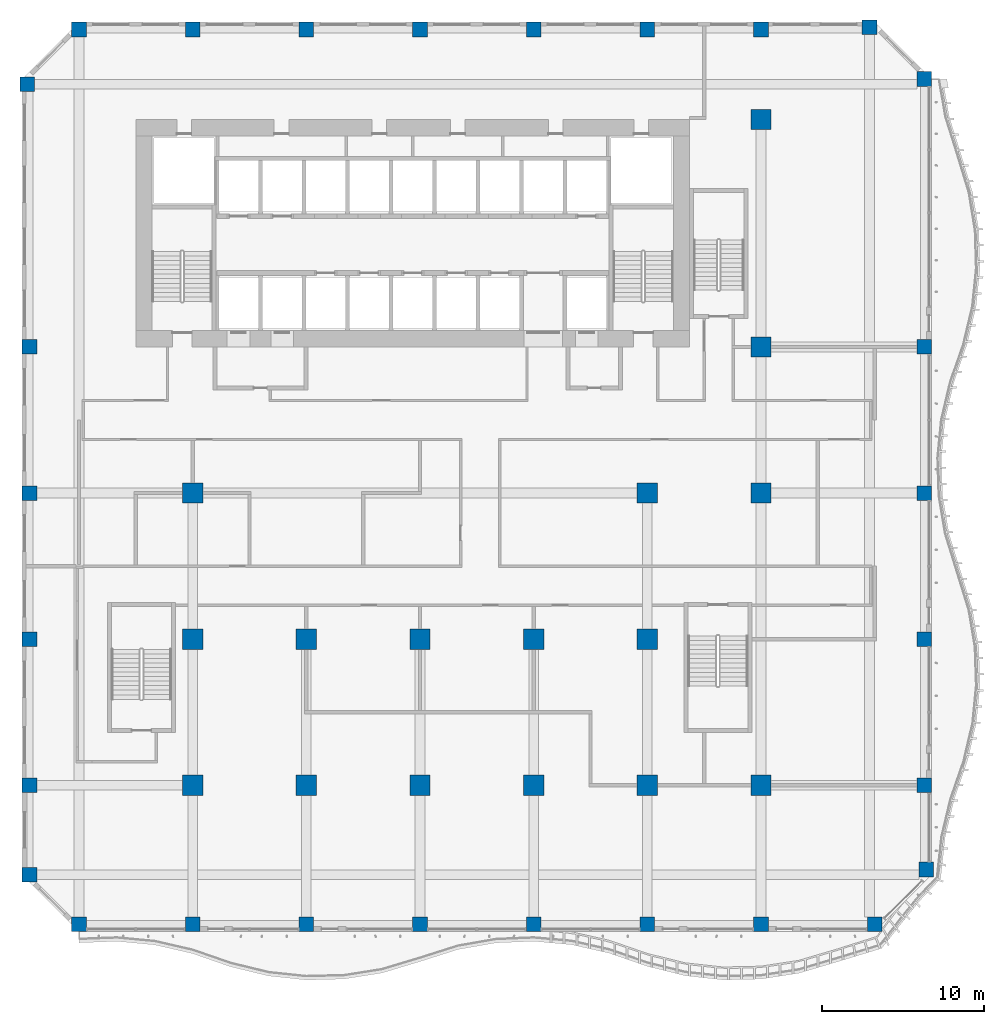
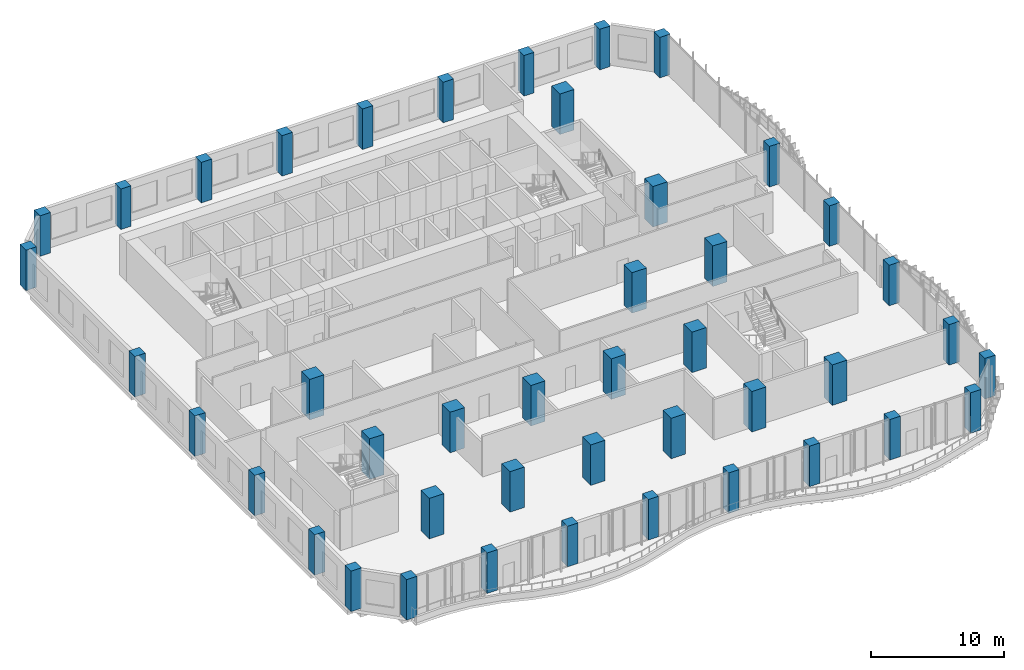
# One storey, part 1 of 25: 44 columns.
"""IFC4 building model written with IfcOpenShell, lengths in metres."""

from ifc_helpers import new_model, si_unit, direction, frame, origin, origin_2d, place, context, subcontext, project, spatial, rectangle, extrude, source, transform, mapped, material, material_profile, profile_set, type_object, element, save


model = new_model("IFC4")

# Units and contexts
model_context = context("Model", 3, precision=1e-05, world=origin(), true_north=direction((0.0, 1.0)))
body_context = subcontext(model_context, "Body", "Model", "MODEL_VIEW")
ifc_project = project(units=[si_unit("LENGTHUNIT", "METRE"), si_unit("AREAUNIT", "SQUARE_METRE"), si_unit("VOLUMEUNIT", "CUBIC_METRE"), si_unit("PLANEANGLEUNIT", "RADIAN"), si_unit("MASSUNIT", "GRAM", prefix="KILO")], contexts=[model_context])

# Site, building, storey
site_placement = place(None, origin())
site = spatial("IfcSite", under=ifc_project, at=site_placement, CompositionType="ELEMENT")
building_placement = place(site_placement, origin())
building = spatial("IfcBuilding", under=site, at=building_placement, Name="Kilnfold Tower and Market Hall", CompositionType="ELEMENT")
storey_placement = place(building_placement, frame((0.0, 0.0, 67.199951171875)))
storey = spatial("IfcBuildingStorey", under=building, at=storey_placement, Name="L15", CompositionType="ELEMENT", Elevation=67.199951171875)

# Columns
ifc_material_1 = material(Name="Concrete C80", Category="concrete")
ifc_material_profile_1 = material_profile(ifc_material_1, rectangle(XDim=0.89990234375, YDim=0.89990234375, at=origin_2d()), Name="RC 900x900")
ifc_profile_set_1 = profile_set([ifc_material_profile_1], Name="Concrete C80")
column_type_1 = type_object("IfcColumnType", Name="COLUMN 900X900 C80", PredefinedType="COLUMN", material=ifc_profile_set_1)
shared_shape_1 = source(origin(), body_context, "Body", "SweptSolid", [
    extrude(rectangle(XDim=0.89990234375, YDim=0.89990234375, at=origin_2d()), origin(), (0.0, 0.0, 1.0), 3.719970703125),
])
for number, where, z_axis, x_axis, name in (
    (1, (-22.681884765625, 24.181884765625, 0.0), (0.0, 0.0, 1.0), (1.0, 0.0, 0.0), "Column C-B2-1H"),
    (2, (-22.550048828125, -24.5, 0.0), (0.0, 0.0, 1.0), (1.0, 0.0, 0.0), "Column C-B2-1B"),
    (3, (-22.550048828125, -19.0, 0.0), (0.0, 0.0, 1.0), (1.0, 0.0, 0.0), "Column C-B2-1C"),
    (4, (-22.550048828125, -10.0, 0.0), (0.0, 0.0, 1.0), (1.0, 0.0, 0.0), "Column C-B2-1D"),
    (5, (-22.550048828125, -1.0, 0.0), (0.0, 0.0, 1.0), (1.0, 0.0, 0.0), "Column C-B2-1E"),
    (6, (-22.550048828125, 8.0, 0.0), (0.0, 0.0, 1.0), (1.0, 0.0, 0.0), "Column C-B2-1F"),
    (7, (-19.5, -27.550048828125, 0.0), (0.0, 0.0, 1.0), (1.0, 0.0, 0.0), "Column C-B2-2A"),
    (8, (-19.5, 27.550048828125, 0.0), (0.0, 0.0, 1.0), (1.0, 0.0, 0.0), "Column C-B2-2I"),
    (9, (-12.5, -27.550048828125, 0.0), (0.0, 0.0, 1.0), (1.0, 0.0, 0.0), "Column C-B2-3A"),
    (10, (-12.5, 27.550048828125, 0.0), (0.0, 0.0, 1.0), (1.0, 0.0, 0.0), "Column C-B2-3I"),
    (11, (-5.5, -27.550048828125, 0.0), (0.0, 0.0, 1.0), (1.0, 0.0, 0.0), "Column C-B2-4A"),
    (12, (-5.5, 27.550048828125, 0.0), (0.0, 0.0, 1.0), (1.0, 0.0, 0.0), "Column C-B2-4I"),
    (13, (1.5, -27.550048828125, 0.0), (0.0, 0.0, 1.0), (1.0, 0.0, 0.0), "Column C-B2-5A"),
    (14, (1.5, 27.550048828125, 0.0), (0.0, 0.0, 1.0), (1.0, 0.0, 0.0), "Column C-B2-5I"),
    (15, (8.5, -27.550048828125, 0.0), (0.0, 0.0, 1.0), (1.0, 0.0, 0.0), "Column C-B2-6A"),
    (16, (8.5, 27.550048828125, 0.0), (0.0, 0.0, 1.0), (1.0, 0.0, 0.0), "Column C-B2-6I"),
    (17, (15.5, -27.550048828125, 0.0), (0.0, 0.0, 1.0), (1.0, 0.0, 0.0), "Column C-B2-7A"),
    (18, (15.5, 27.550048828125, 0.0), (0.0, 0.0, 1.0), (1.0, 0.0, 0.0), "Column C-B2-7I"),
    (19, (22.5, -27.550048828125, 0.0), (0.0, 0.0, 1.0), (1.0, 0.0, 0.0), "Column C-B2-8A"),
    (20, (22.5, 27.550048828125, 0.0), (0.0, 0.0, 1.0), (1.0, 0.0, 0.0), "Column C-B2-8I"),
    (21, (29.181884765625, 27.681884765625, 0.0), (0.0, 0.0, 1.0), (1.0, 0.0, 0.0), "Column C-B2-9I"),
    (22, (29.5, -27.550048828125, 0.0), (0.0, 0.0, 1.0), (1.0, 0.0, 0.0), "Column C-B2-9A"),
    (23, (32.550048828125, -19.0, 0.0), (0.0, 0.0, 1.0), (1.0, 0.0, 0.0), "Column C-B2-10C"),
    (24, (32.550048828125, -10.0, 0.0), (0.0, 0.0, 1.0), (1.0, 0.0, 0.0), "Column C-B2-10D"),
    (25, (32.550048828125, -1.0, 0.0), (0.0, 0.0, 1.0), (1.0, 0.0, 0.0), "Column C-B2-10E"),
    (26, (32.550048828125, 8.0, 0.0), (0.0, 0.0, 1.0), (1.0, 0.0, 0.0), "Column C-B2-10F"),
    (27, (32.550048828125, 24.5, 0.0), (0.0, 0.0, 1.0), (1.0, 0.0, 0.0), "Column C-B2-10H"),
    (28, (32.681884765625, -24.181884765625, 0.0), (0.0, 0.0, 1.0), (1.0, 0.0, 0.0), "Column C-B2-10B"),
):
    element("IfcColumn", number, at=place(storey_placement, frame(where, z_axis=z_axis, x_axis=x_axis)), inside=storey, type_object=column_type_1, Name=name, PredefinedType="COLUMN", context=body_context, shape_type="MappedRepresentation", body=[
        mapped(shared_shape_1, transform((0.0, 0.0, 0.0))),
    ])
ifc_material_2 = material(Name="Concrete C80", Category="concrete")
ifc_material_profile_2 = material_profile(ifc_material_2, rectangle(XDim=1.25, YDim=1.25, at=origin_2d()), Name="RC 1250x1250")
ifc_profile_set_2 = profile_set([ifc_material_profile_2], Name="Concrete C80")
column_type_2 = type_object("IfcColumnType", Name="COLUMN 1250X1250 C80", PredefinedType="COLUMN", material=ifc_profile_set_2)
shared_shape_2 = source(origin(), body_context, "Body", "SweptSolid", [
    extrude(rectangle(XDim=1.25, YDim=1.25, at=origin_2d()), origin(), (0.0, 0.0, 1.0), 3.719970703125),
])
for number, where, z_axis, x_axis, name in (
    (29, (-12.5, -19.0, 0.0), (0.0, 0.0, 1.0), (1.0, 0.0, 0.0), "Column C-B2-3C"),
    (30, (-12.5, -10.0, 0.0), (0.0, 0.0, 1.0), (1.0, 0.0, 0.0), "Column C-B2-3D"),
    (31, (-12.5, -1.0, 0.0), (0.0, 0.0, 1.0), (1.0, 0.0, 0.0), "Column C-B2-3E"),
    (32, (-5.5, -19.0, 0.0), (0.0, 0.0, 1.0), (1.0, 0.0, 0.0), "Column C-B2-4C"),
    (33, (-5.5, -10.0, 0.0), (0.0, 0.0, 1.0), (1.0, 0.0, 0.0), "Column C-B2-4D"),
    (34, (1.5, -19.0, 0.0), (0.0, 0.0, 1.0), (1.0, 0.0, 0.0), "Column C-B2-5C"),
    (35, (1.5, -10.0, 0.0), (0.0, 0.0, 1.0), (1.0, 0.0, 0.0), "Column C-B2-5D"),
    (36, (8.5, -19.0, 0.0), (0.0, 0.0, 1.0), (1.0, 0.0, 0.0), "Column C-B2-6C"),
    (37, (8.5, -10.0, 0.0), (0.0, 0.0, 1.0), (1.0, 0.0, 0.0), "Column C-B2-6D"),
    (38, (15.5, -19.0, 0.0), (0.0, 0.0, 1.0), (1.0, 0.0, 0.0), "Column C-B2-7C"),
    (39, (15.5, -10.0, 0.0), (0.0, 0.0, 1.0), (1.0, 0.0, 0.0), "Column C-B2-7D"),
    (40, (15.5, -1.0, 0.0), (0.0, 0.0, 1.0), (1.0, 0.0, 0.0), "Column C-B2-7E"),
    (41, (22.5, -19.0, 0.0), (0.0, 0.0, 1.0), (1.0, 0.0, 0.0), "Column C-B2-8C"),
    (42, (22.5, -1.0, 0.0), (0.0, 0.0, 1.0), (1.0, 0.0, 0.0), "Column C-B2-8E"),
    (43, (22.5, 8.0, 0.0), (0.0, 0.0, 1.0), (1.0, 0.0, 0.0), "Column C-B2-8F"),
    (44, (22.5, 22.0, 0.0), (0.0, 0.0, 1.0), (1.0, 0.0, 0.0), "Column C-B2-8G"),
):
    element("IfcColumn", number, at=place(storey_placement, frame(where, z_axis=z_axis, x_axis=x_axis)), inside=storey, type_object=column_type_2, Name=name, PredefinedType="COLUMN", context=body_context, shape_type="MappedRepresentation", body=[
        mapped(shared_shape_2, transform((0.0, 0.0, 0.0))),
    ])

save(model, "model.ifc")
